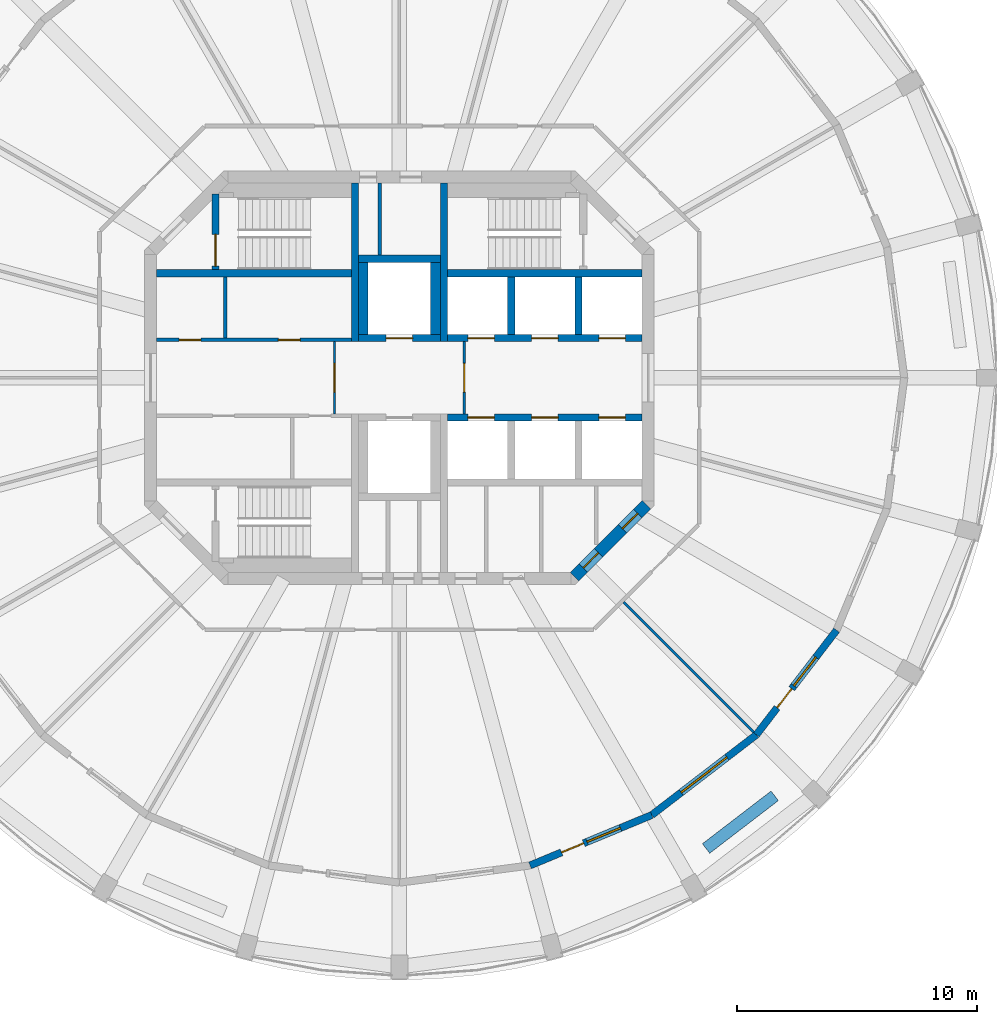
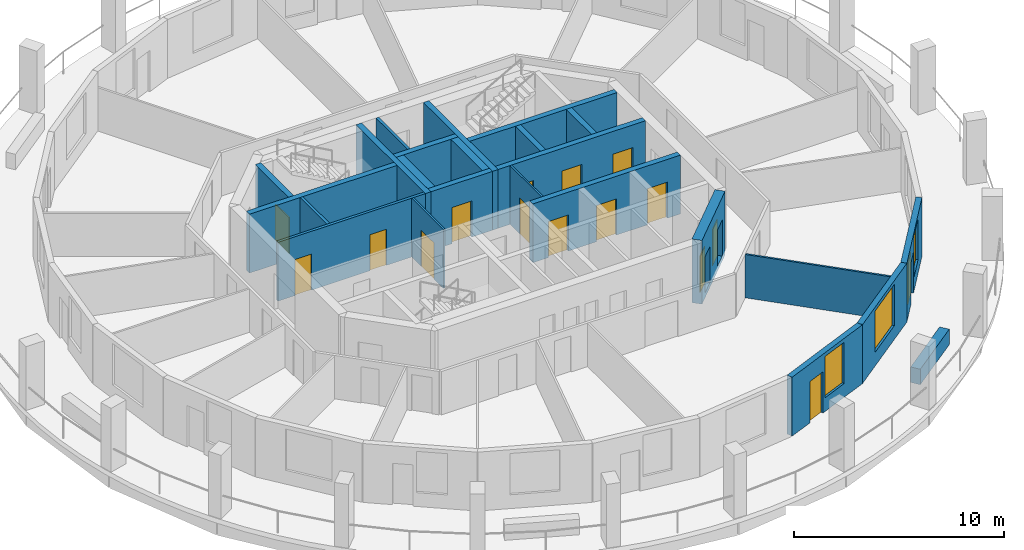
# One storey, part 4 of 9: 24 walls, 16 doors, 3 windows, 19 openings.
"""IFC4 building model written with IfcOpenShell, lengths in metres."""

from ifc_helpers import new_model, si_unit, direction, frame, frame_2d, origin, place, context, subcontext, project, spatial, rectangle, extrude, material, layer, layer_set, type_object, element, fill, save


model = new_model("IFC4")

# Units and contexts
model_context = context("Model", 3, precision=1e-05, world=origin(), true_north=direction((0.0, 1.0)))
body_context = subcontext(model_context, "Body", "Model", "MODEL_VIEW")
ifc_project = project(units=[si_unit("LENGTHUNIT", "METRE"), si_unit("AREAUNIT", "SQUARE_METRE"), si_unit("VOLUMEUNIT", "CUBIC_METRE"), si_unit("PLANEANGLEUNIT", "RADIAN"), si_unit("MASSUNIT", "GRAM", prefix="KILO")], contexts=[model_context])

# Site, building, storey
site_placement = place(None, origin())
site = spatial("IfcSite", under=ifc_project, at=site_placement, CompositionType="ELEMENT")
building_placement = place(site_placement, origin())
building = spatial("IfcBuilding", under=site, at=building_placement, Name="Torre Triforio", CompositionType="ELEMENT")
storey_placement = place(building_placement, frame((0.0, 0.0, 272.300048828125)))
storey = spatial("IfcBuildingStorey", under=building, at=storey_placement, Name="L63", CompositionType="ELEMENT", Elevation=272.300048828125)

# Walls
ifc_material_1 = material(Name="Concrete C40", Category="concrete")
ifc_layer_1 = layer(ifc_material_1, 0.300048828125)
ifc_layer_set_1 = layer_set([ifc_layer_1], Name="Concrete C40")
wall_type_1 = type_object("IfcWallType", Name="Core wall 300 mm C40 EI 120", PredefinedType="SHEAR", material=ifc_layer_set_1)
for number, where, z_axis, x_axis, name in (
    (1, (-1.85009765625, 1.5, 0.0), (0.0, 0.0, 1.0), (0.0, 1.0, 0.0), "Core wall"),
    (2, (1.85009765625, 1.5, 0.0), (0.0, 0.0, 1.0), (0.0, 1.0, 0.0), "Core wall"),
):
    element("IfcWall", number, at=place(storey_placement, frame(where, z_axis=z_axis, x_axis=x_axis)), inside=storey, type_object=wall_type_1, Name=name, PredefinedType="SHEAR", context=body_context, shape_type="SweptSolid", body=[
        extrude(rectangle(XDim=6.60009765625, YDim=0.300048828125, at=frame_2d((3.300048828125, 0.0))), origin(), (0.0, 0.0, 1.0), 3.419921875),
    ])

# Wall, openings, doors
ifc_layer_2 = layer(ifc_material_1, 0.5)
ifc_layer_set_2 = layer_set([ifc_layer_2], Name="Concrete C40")
wall_type_2 = type_object("IfcWallType", Name="Core wall 500 mm C40 EI 120", PredefinedType="SHEAR", material=ifc_layer_set_2)
wall_1_placement = place(storey_placement, frame((10.27685546875, -5.27685546875, -0.280029296875), z_axis=(0.0, 0.0, 1.0), x_axis=(-0.707106781187, -0.707106781187, 0.0)))
wall_1 = element("IfcWall", 3, at=wall_1_placement, inside=storey, type_object=wall_type_2, Name="Core wall", PredefinedType="SHEAR", context=body_context, shape_type="SweptSolid", body=[
    extrude(rectangle(XDim=4.24267578125, YDim=0.5, at=frame_2d((2.121337890625, 0.0))), origin(), (0.0, 0.0, 1.0), 3.699951171875),
])
opening_1_placement = place(wall_1_placement, frame((2.82275390625, 0.0, 0.280029296875)))
opening_1 = element("IfcOpeningElement", 4, at=opening_1_placement, cuts=wall_1, Name="Opening SE-03", PredefinedType="OPENING", context=body_context, shape_type="SweptSolid", body=[
    extrude(rectangle(XDim=0.89990234375, YDim=2.10009765625, at=frame_2d((0.449951171875, 1.050048828125))), frame((0.0, 0.260009765625, 0.0), z_axis=(0.0, -1.0, 0.0), x_axis=(1.0, 0.0, 0.0)), (0.0, 0.0, 1.0), 0.52001953125),
])
opening_2_placement = place(wall_1_placement, frame((0.52001953125, 0.0, 0.280029296875)))
opening_2 = element("IfcOpeningElement", 5, at=opening_2_placement, cuts=wall_1, Name="Opening SE-04", PredefinedType="OPENING", context=body_context, shape_type="SweptSolid", body=[
    extrude(rectangle(XDim=0.89990234375, YDim=2.10009765625, at=frame_2d((0.449951171875, 1.050048828125))), frame((0.0, 0.260009765625, 0.0), z_axis=(0.0, -1.0, 0.0), x_axis=(1.0, 0.0, 0.0)), (0.0, 0.0, 1.0), 0.52001953125),
])
ifc_material_2 = material(Name="Hollow metal fire door leaf")
door_type_1 = type_object("IfcDoorType", Name="Room door 900 x 2100 EI 60", OperationType="NOTDEFINED", PredefinedType="DOOR", material=ifc_material_2)
door_1_placement = place(opening_1_placement, origin())
door_1 = element("IfcDoor", 6, at=door_1_placement, inside=storey, type_object=door_type_1, Name="Core door SE-03", OperationType="SINGLE_SWING_RIGHT", OverallHeight=2.10009765625, OverallWidth=0.89990234375, PredefinedType="DOOR", context=body_context, shape_type="SweptSolid", body=[
    extrude(rectangle(XDim=0.89990234375, YDim=2.10009765625, at=frame_2d((0.449951171875, 1.050048828125))), frame((0.0, 0.02490234375, 0.0), z_axis=(0.0, -1.0, 0.0), x_axis=(1.0, 0.0, 0.0)), (0.0, 0.0, 1.0), 0.050048828125),
])
fill(opening_1, door_1)
door_2_placement = place(opening_2_placement, origin())
door_2 = element("IfcDoor", 7, at=door_2_placement, inside=storey, type_object=door_type_1, Name="Core door SE-04", OperationType="SINGLE_SWING_LEFT", OverallHeight=2.10009765625, OverallWidth=0.89990234375, PredefinedType="DOOR", context=body_context, shape_type="SweptSolid", body=[
    extrude(rectangle(XDim=0.89990234375, YDim=2.10009765625, at=frame_2d((0.449951171875, 1.050048828125))), frame((0.0, 0.02490234375, 0.0), z_axis=(0.0, -1.0, 0.0), x_axis=(1.0, 0.0, 0.0)), (0.0, 0.0, 1.0), 0.050048828125),
])
fill(opening_2, door_2)

# Wall, opening, door
ifc_material_3 = material(Name="Block and board partition")
ifc_layer_3 = layer(ifc_material_3, 0.10009765625)
ifc_layer_set_3 = layer_set([ifc_layer_3], Name="Block and board partition")
wall_type_3 = type_object("IfcWallType", Name="Partition 100 mm EI 120", PredefinedType="PARTITIONING", material=ifc_layer_set_3)
wall_2_placement = place(storey_placement, frame((-2.699951171875, -1.5, 0.0), z_axis=(0.0, 0.0, 1.0), x_axis=(0.0, 1.0, 0.0)))
wall_2 = element("IfcWall", 8, at=wall_2_placement, inside=storey, type_object=wall_type_3, Name="Partition", PredefinedType="PARTITIONING", context=body_context, shape_type="SweptSolid", body=[
    extrude(rectangle(XDim=3.0, YDim=0.10009765625, at=frame_2d((1.5, 0.0))), origin(), (0.0, 0.0, 1.0), 3.419921875),
])
opening_3_placement = place(wall_2_placement, frame((0.89990234375, 0.0, 0.0)))
opening_3 = element("IfcOpeningElement", 9, at=opening_3_placement, cuts=wall_2, Name="Opening FF-W", PredefinedType="OPENING", context=body_context, shape_type="SweptSolid", body=[
    extrude(rectangle(XDim=1.199951171875, YDim=2.10009765625, at=frame_2d((0.60009765625, 1.050048828125))), frame((0.0, 0.06005859375, 0.0), z_axis=(0.0, -1.0, 0.0), x_axis=(1.0, 0.0, 0.0)), (0.0, 0.0, 1.0), 0.1201171875),
])
door_type_2 = type_object("IfcDoorType", Name="Fire-fighting lobby door 1200 x 2100 EI 60", OperationType="NOTDEFINED", PredefinedType="DOOR", material=ifc_material_2)
door_3_placement = place(opening_3_placement, origin())
door_3 = element("IfcDoor", 10, at=door_3_placement, inside=storey, type_object=door_type_2, Name="Core door FF-W", OperationType="SINGLE_SWING_RIGHT", OverallHeight=2.10009765625, OverallWidth=1.199951171875, PredefinedType="DOOR", context=body_context, shape_type="SweptSolid", body=[
    extrude(rectangle(XDim=1.199951171875, YDim=2.10009765625, at=frame_2d((0.60009765625, 1.050048828125))), frame((0.0, 0.02490234375, 0.0), z_axis=(0.0, -1.0, 0.0), x_axis=(1.0, 0.0, 0.0)), (0.0, 0.0, 1.0), 0.050048828125),
])
fill(opening_3, door_3)

wall_3_placement = place(storey_placement, frame((2.699951171875, -1.5, 0.0), z_axis=(0.0, 0.0, 1.0), x_axis=(0.0, 1.0, 0.0)))
wall_3 = element("IfcWall", 11, at=wall_3_placement, inside=storey, type_object=wall_type_3, Name="Partition", PredefinedType="PARTITIONING", context=body_context, shape_type="SweptSolid", body=[
    extrude(rectangle(XDim=3.0, YDim=0.10009765625, at=frame_2d((1.5, 0.0))), origin(), (0.0, 0.0, 1.0), 3.419921875),
])
opening_4_placement = place(wall_3_placement, frame((0.89990234375, 0.0, 0.0)))
opening_4 = element("IfcOpeningElement", 12, at=opening_4_placement, cuts=wall_3, Name="Opening FF-E", PredefinedType="OPENING", context=body_context, shape_type="SweptSolid", body=[
    extrude(rectangle(XDim=1.199951171875, YDim=2.10009765625, at=frame_2d((0.60009765625, 1.050048828125))), frame((0.0, 0.06005859375, 0.0), z_axis=(0.0, -1.0, 0.0), x_axis=(1.0, 0.0, 0.0)), (0.0, 0.0, 1.0), 0.1201171875),
])
door_4_placement = place(opening_4_placement, origin())
door_4 = element("IfcDoor", 13, at=door_4_placement, inside=storey, type_object=door_type_2, Name="Core door FF-E", OperationType="SINGLE_SWING_RIGHT", OverallHeight=2.10009765625, OverallWidth=1.199951171875, PredefinedType="DOOR", context=body_context, shape_type="SweptSolid", body=[
    extrude(rectangle(XDim=1.199951171875, YDim=2.10009765625, at=frame_2d((0.60009765625, 1.050048828125))), frame((0.0, 0.02490234375, 0.0), z_axis=(0.0, -1.0, 0.0), x_axis=(1.0, 0.0, 0.0)), (0.0, 0.0, 1.0), 0.050048828125),
])
fill(opening_4, door_4)

# Walls
ifc_material_4 = material(Name="Plasterboard on metal studs")
ifc_layer_4 = layer(ifc_material_4, 0.10009765625)
ifc_layer_set_4 = layer_set([ifc_layer_4], Name="Plasterboard on metal studs")
wall_type_4 = type_object("IfcWallType", Name="Partition 100 mm board on metal studs", PredefinedType="PARTITIONING", material=ifc_layer_set_4)
wall_4_placement = place(storey_placement, frame((9.33251953125, -9.33251953125, 0.0), z_axis=(0.0, 0.0, 1.0), x_axis=(0.707106781187, -0.707106781187, 0.0)))
element("IfcWall", 14, at=wall_4_placement, inside=storey, type_object=wall_type_4, Name="Partition 24", PredefinedType="PARTITIONING", context=body_context, shape_type="SweptSolid", body=[
    extrude(rectangle(XDim=7.638671875, YDim=0.10009765625, at=frame_2d((3.8193359375, 0.0))), origin(), (0.0, 0.0, 1.0), 2.52001953125),
])
ifc_layer_5 = layer(ifc_material_3, 0.14990234375)
ifc_layer_set_5 = layer_set([ifc_layer_5], Name="Block and board partition")
wall_type_5 = type_object("IfcWallType", Name="Partition 150 mm", PredefinedType="PARTITIONING", material=ifc_layer_set_5)
wall_5_placement = place(storey_placement, frame((-7.242431640625, 1.64990234375, 0.0), z_axis=(0.0, 0.0, 1.0), x_axis=(0.0, 1.0, 0.0)))
element("IfcWall", 15, at=wall_5_placement, inside=storey, type_object=wall_type_5, Name="Partition", PredefinedType="PARTITIONING", context=body_context, shape_type="SweptSolid", body=[
    extrude(rectangle(XDim=2.550048828125, YDim=0.14990234375, at=frame_2d((1.27490234375, 0.0))), origin(), (0.0, 0.0, 1.0), 3.419921875),
])
ifc_layer_6 = layer(ifc_material_3, 0.14990234375)
ifc_layer_set_6 = layer_set([ifc_layer_6], Name="Block and board partition")
wall_type_6 = type_object("IfcWallType", Name="Partition 150 mm EI 120", PredefinedType="PARTITIONING", material=ifc_layer_set_6)
wall_6_placement = place(storey_placement, frame((-0.824951171875, 5.10009765625, 0.0), z_axis=(0.0, 0.0, 1.0), x_axis=(0.0, 1.0, 0.0)))
element("IfcWall", 16, at=wall_6_placement, inside=storey, type_object=wall_type_6, Name="Partition", PredefinedType="PARTITIONING", context=body_context, shape_type="SweptSolid", body=[
    extrude(rectangle(XDim=3.0, YDim=0.14990234375, at=frame_2d((1.5, 0.0))), origin(), (0.0, 0.0, 1.0), 3.419921875),
])

# Wall, openings, doors
wall_7_placement = place(storey_placement, frame((-10.10009765625, 1.574951171875, 0.0), z_axis=(0.0, 0.0, 1.0), x_axis=(1.0, 0.0, 0.0)))
wall_7 = element("IfcWall", 17, at=wall_7_placement, inside=storey, type_object=wall_type_6, Name="Partition", PredefinedType="PARTITIONING", context=body_context, shape_type="SweptSolid", body=[
    extrude(rectangle(XDim=8.10009765625, YDim=0.14990234375, at=frame_2d((4.050048828125, 0.0))), origin(), (0.0, 0.0, 1.0), 3.419921875),
])
opening_5_placement = place(wall_7_placement, frame((0.941162109375, 0.0, 0.0)))
opening_5 = element("IfcOpeningElement", 18, at=opening_5_placement, cuts=wall_7, Name="Opening FN-01A", PredefinedType="OPENING", context=body_context, shape_type="SweptSolid", body=[
    extrude(rectangle(XDim=0.89990234375, YDim=2.10009765625, at=frame_2d((0.449951171875, 1.050048828125))), frame((0.0, 0.0849609375, 0.0), z_axis=(0.0, -1.0, 0.0), x_axis=(1.0, 0.0, 0.0)), (0.0, 0.0, 1.0), 0.169921875),
])
opening_6_placement = place(wall_7_placement, frame((5.066162109375, 0.0, 0.0)))
opening_6 = element("IfcOpeningElement", 19, at=opening_6_placement, cuts=wall_7, Name="Opening FN-02", PredefinedType="OPENING", context=body_context, shape_type="SweptSolid", body=[
    extrude(rectangle(XDim=0.89990234375, YDim=2.10009765625, at=frame_2d((0.449951171875, 1.050048828125))), frame((0.0, 0.0849609375, 0.0), z_axis=(0.0, -1.0, 0.0), x_axis=(1.0, 0.0, 0.0)), (0.0, 0.0, 1.0), 0.169921875),
])
door_type_3 = type_object("IfcDoorType", Name="Plant room door 900 x 2100 EI 60", OperationType="NOTDEFINED", PredefinedType="DOOR", material=ifc_material_2)
door_5_placement = place(opening_5_placement, origin())
door_5 = element("IfcDoor", 20, at=door_5_placement, inside=storey, type_object=door_type_3, Name="Core door FN-01", OperationType="SINGLE_SWING_RIGHT", OverallHeight=2.10009765625, OverallWidth=0.89990234375, PredefinedType="DOOR", context=body_context, shape_type="SweptSolid", body=[
    extrude(rectangle(XDim=0.89990234375, YDim=2.10009765625, at=frame_2d((0.449951171875, 1.050048828125))), frame((0.0, 0.02490234375, 0.0), z_axis=(0.0, -1.0, 0.0), x_axis=(1.0, 0.0, 0.0)), (0.0, 0.0, 1.0), 0.050048828125),
])
fill(opening_5, door_5)
door_6_placement = place(opening_6_placement, origin())
door_6 = element("IfcDoor", 21, at=door_6_placement, inside=storey, type_object=door_type_1, Name="Core door FN-02", OperationType="SINGLE_SWING_RIGHT", OverallHeight=2.10009765625, OverallWidth=0.89990234375, PredefinedType="DOOR", context=body_context, shape_type="SweptSolid", body=[
    extrude(rectangle(XDim=0.89990234375, YDim=2.10009765625, at=frame_2d((0.449951171875, 1.050048828125))), frame((0.0, 0.02490234375, 0.0), z_axis=(0.0, -1.0, 0.0), x_axis=(1.0, 0.0, 0.0)), (0.0, 0.0, 1.0), 0.050048828125),
])
fill(opening_6, door_6)

# Walls
ifc_material_5 = material(Name="Limestone cladding", Category="masonry")
ifc_layer_7 = layer(ifc_material_5, 0.10009765625)
ifc_layer_8 = layer(ifc_material_1, 0.39990234375)
ifc_layer_set_7 = layer_set([ifc_layer_7, ifc_layer_8], Name="Limestone cladding / Concrete C40")
wall_type_7 = type_object("IfcWallType", Name="Planter wall 500", PredefinedType="PARAPET", material=ifc_layer_set_7)
wall_8_placement = place(storey_placement, frame((12.756103515625, -19.580810546875, 0.0), z_axis=(0.0, 0.0, 1.0), x_axis=(0.793384730612, 0.608720518162, 0.0)))
element("IfcWall", 22, at=wall_8_placement, inside=storey, type_object=wall_type_7, Name="Planter L63 bay 21", PredefinedType="PARAPET", context=body_context, shape_type="SweptSolid", body=[
    extrude(rectangle(XDim=3.60009765625, YDim=0.5, at=frame_2d((1.800048828125, 0.0))), origin(), (0.0, 0.0, 1.0), 0.89990234375),
])
ifc_layer_9 = layer(ifc_material_1, 0.300048828125)
ifc_layer_set_8 = layer_set([ifc_layer_9], Name="Concrete C40")
wall_type_8 = type_object("IfcWallType", Name="Shaft wall 300 mm C40 EI 120", PredefinedType="SOLIDWALL", material=ifc_layer_set_8)
for number, where, z_axis, x_axis, name in (
    (23, (-10.10009765625, 4.35009765625, 0.0), (0.0, 0.0, 1.0), (1.0, 0.0, 0.0), "Shaft wall"),
    (24, (2.0, 4.35009765625, 0.0), (0.0, 0.0, 1.0), (1.0, 0.0, 0.0), "Shaft wall"),
):
    element("IfcWall", number, at=place(storey_placement, frame(where, z_axis=z_axis, x_axis=x_axis)), inside=storey, type_object=wall_type_8, Name=name, PredefinedType="SOLIDWALL", context=body_context, shape_type="SweptSolid", body=[
        extrude(rectangle(XDim=8.10009765625, YDim=0.300048828125, at=frame_2d((4.050048828125, 0.0))), origin(), (0.0, 0.0, 1.0), 3.419921875),
    ])

# Wall, openings, doors
wall_9_placement = place(storey_placement, frame((2.0, 1.64990234375, 0.0), z_axis=(0.0, 0.0, 1.0), x_axis=(1.0, 0.0, 0.0)))
wall_9 = element("IfcWall", 25, at=wall_9_placement, inside=storey, type_object=wall_type_8, Name="Shaft wall", PredefinedType="SOLIDWALL", context=body_context, shape_type="SweptSolid", body=[
    extrude(rectangle(XDim=8.10009765625, YDim=0.300048828125, at=frame_2d((4.050048828125, 0.0))), origin(), (0.0, 0.0, 1.0), 3.419921875),
])
opening_7_placement = place(wall_9_placement, frame((0.85009765625, 0.0, 0.0)))
opening_7 = element("IfcOpeningElement", 26, at=opening_7_placement, cuts=wall_9, Name="Opening LD", PredefinedType="OPENING", context=body_context, shape_type="SweptSolid", body=[
    extrude(rectangle(XDim=1.10009765625, YDim=2.10009765625, at=frame_2d((0.550048828125, 1.050048828125))), frame((0.0, 0.159912109375, 0.0), z_axis=(0.0, -1.0, 0.0), x_axis=(1.0, 0.0, 0.0)), (0.0, 0.0, 1.0), 0.320068359375),
])
opening_8_placement = place(wall_9_placement, frame((3.5, 0.0, 0.0)))
opening_8 = element("IfcOpeningElement", 27, at=opening_8_placement, cuts=wall_9, Name="Opening LD", PredefinedType="OPENING", context=body_context, shape_type="SweptSolid", body=[
    extrude(rectangle(XDim=1.10009765625, YDim=2.10009765625, at=frame_2d((0.550048828125, 1.050048828125))), frame((0.0, 0.159912109375, 0.0), z_axis=(0.0, -1.0, 0.0), x_axis=(1.0, 0.0, 0.0)), (0.0, 0.0, 1.0), 0.320068359375),
])
opening_9_placement = place(wall_9_placement, frame((6.300048828125, 0.0, 0.0)))
opening_9 = element("IfcOpeningElement", 28, at=opening_9_placement, cuts=wall_9, Name="Opening LD", PredefinedType="OPENING", context=body_context, shape_type="SweptSolid", body=[
    extrude(rectangle(XDim=1.10009765625, YDim=2.10009765625, at=frame_2d((0.550048828125, 1.050048828125))), frame((0.0, 0.159912109375, 0.0), z_axis=(0.0, -1.0, 0.0), x_axis=(1.0, 0.0, 0.0)), (0.0, 0.0, 1.0), 0.320068359375),
])
door_type_4 = type_object("IfcDoorType", Name="Landing door 1100 x 2100 EI 60", OperationType="DOUBLE_DOOR_SLIDING", PredefinedType="DOOR", material=ifc_material_2)
door_7_placement = place(opening_7_placement, origin())
door_7 = element("IfcDoor", 29, at=door_7_placement, inside=storey, type_object=door_type_4, Name="Landing door HR1", OperationType="DOUBLE_DOOR_SLIDING", OverallHeight=2.10009765625, OverallWidth=1.10009765625, PredefinedType="DOOR", context=body_context, shape_type="SweptSolid", body=[
    extrude(rectangle(XDim=1.10009765625, YDim=2.10009765625, at=frame_2d((0.550048828125, 1.050048828125))), frame((0.0, 0.02490234375, 0.0), z_axis=(0.0, -1.0, 0.0), x_axis=(1.0, 0.0, 0.0)), (0.0, 0.0, 1.0), 0.050048828125),
])
fill(opening_7, door_7)
door_8_placement = place(opening_8_placement, origin())
door_8 = element("IfcDoor", 30, at=door_8_placement, inside=storey, type_object=door_type_4, Name="Landing door HR2", OperationType="DOUBLE_DOOR_SLIDING", OverallHeight=2.10009765625, OverallWidth=1.10009765625, PredefinedType="DOOR", context=body_context, shape_type="SweptSolid", body=[
    extrude(rectangle(XDim=1.10009765625, YDim=2.10009765625, at=frame_2d((0.550048828125, 1.050048828125))), frame((0.0, 0.02490234375, 0.0), z_axis=(0.0, -1.0, 0.0), x_axis=(1.0, 0.0, 0.0)), (0.0, 0.0, 1.0), 0.050048828125),
])
fill(opening_8, door_8)
door_9_placement = place(opening_9_placement, origin())
door_9 = element("IfcDoor", 31, at=door_9_placement, inside=storey, type_object=door_type_4, Name="Landing door HR3", OperationType="DOUBLE_DOOR_SLIDING", OverallHeight=2.10009765625, OverallWidth=1.10009765625, PredefinedType="DOOR", context=body_context, shape_type="SweptSolid", body=[
    extrude(rectangle(XDim=1.10009765625, YDim=2.10009765625, at=frame_2d((0.550048828125, 1.050048828125))), frame((0.0, 0.02490234375, 0.0), z_axis=(0.0, -1.0, 0.0), x_axis=(1.0, 0.0, 0.0)), (0.0, 0.0, 1.0), 0.050048828125),
])
fill(opening_9, door_9)

wall_10_placement = place(storey_placement, frame((2.0, -1.64990234375, 0.0), z_axis=(0.0, 0.0, 1.0), x_axis=(1.0, 0.0, 0.0)))
wall_10 = element("IfcWall", 32, at=wall_10_placement, inside=storey, type_object=wall_type_8, Name="Shaft wall", PredefinedType="SOLIDWALL", context=body_context, shape_type="SweptSolid", body=[
    extrude(rectangle(XDim=8.10009765625, YDim=0.300048828125, at=frame_2d((4.050048828125, 0.0))), origin(), (0.0, 0.0, 1.0), 3.419921875),
])
opening_10_placement = place(wall_10_placement, frame((0.85009765625, 0.0, 0.0)))
opening_10 = element("IfcOpeningElement", 33, at=opening_10_placement, cuts=wall_10, Name="Opening LD", PredefinedType="OPENING", context=body_context, shape_type="SweptSolid", body=[
    extrude(rectangle(XDim=1.10009765625, YDim=2.10009765625, at=frame_2d((0.550048828125, 1.050048828125))), frame((0.0, 0.159912109375, 0.0), z_axis=(0.0, -1.0, 0.0), x_axis=(1.0, 0.0, 0.0)), (0.0, 0.0, 1.0), 0.320068359375),
])
opening_11_placement = place(wall_10_placement, frame((3.5, 0.0, 0.0)))
opening_11 = element("IfcOpeningElement", 34, at=opening_11_placement, cuts=wall_10, Name="Opening LD", PredefinedType="OPENING", context=body_context, shape_type="SweptSolid", body=[
    extrude(rectangle(XDim=1.10009765625, YDim=2.10009765625, at=frame_2d((0.550048828125, 1.050048828125))), frame((0.0, 0.159912109375, 0.0), z_axis=(0.0, -1.0, 0.0), x_axis=(1.0, 0.0, 0.0)), (0.0, 0.0, 1.0), 0.320068359375),
])
opening_12_placement = place(wall_10_placement, frame((6.300048828125, 0.0, 0.0)))
opening_12 = element("IfcOpeningElement", 35, at=opening_12_placement, cuts=wall_10, Name="Opening LD", PredefinedType="OPENING", context=body_context, shape_type="SweptSolid", body=[
    extrude(rectangle(XDim=1.10009765625, YDim=2.10009765625, at=frame_2d((0.550048828125, 1.050048828125))), frame((0.0, 0.159912109375, 0.0), z_axis=(0.0, -1.0, 0.0), x_axis=(1.0, 0.0, 0.0)), (0.0, 0.0, 1.0), 0.320068359375),
])
door_10_placement = place(opening_10_placement, origin())
door_10 = element("IfcDoor", 36, at=door_10_placement, inside=storey, type_object=door_type_4, Name="Landing door HR4", OperationType="DOUBLE_DOOR_SLIDING", OverallHeight=2.10009765625, OverallWidth=1.10009765625, PredefinedType="DOOR", context=body_context, shape_type="SweptSolid", body=[
    extrude(rectangle(XDim=1.10009765625, YDim=2.10009765625, at=frame_2d((0.550048828125, 1.050048828125))), frame((0.0, 0.02490234375, 0.0), z_axis=(0.0, -1.0, 0.0), x_axis=(1.0, 0.0, 0.0)), (0.0, 0.0, 1.0), 0.050048828125),
])
fill(opening_10, door_10)
door_11_placement = place(opening_11_placement, origin())
door_11 = element("IfcDoor", 37, at=door_11_placement, inside=storey, type_object=door_type_4, Name="Landing door HR5", OperationType="DOUBLE_DOOR_SLIDING", OverallHeight=2.10009765625, OverallWidth=1.10009765625, PredefinedType="DOOR", context=body_context, shape_type="SweptSolid", body=[
    extrude(rectangle(XDim=1.10009765625, YDim=2.10009765625, at=frame_2d((0.550048828125, 1.050048828125))), frame((0.0, 0.02490234375, 0.0), z_axis=(0.0, -1.0, 0.0), x_axis=(1.0, 0.0, 0.0)), (0.0, 0.0, 1.0), 0.050048828125),
])
fill(opening_11, door_11)
door_12_placement = place(opening_12_placement, origin())
door_12 = element("IfcDoor", 38, at=door_12_placement, inside=storey, type_object=door_type_4, Name="Landing door HR6", OperationType="DOUBLE_DOOR_SLIDING", OverallHeight=2.10009765625, OverallWidth=1.10009765625, PredefinedType="DOOR", context=body_context, shape_type="SweptSolid", body=[
    extrude(rectangle(XDim=1.10009765625, YDim=2.10009765625, at=frame_2d((0.550048828125, 1.050048828125))), frame((0.0, 0.02490234375, 0.0), z_axis=(0.0, -1.0, 0.0), x_axis=(1.0, 0.0, 0.0)), (0.0, 0.0, 1.0), 0.050048828125),
])
fill(opening_12, door_12)

# Walls
for number, where, z_axis, x_axis, name in (
    (39, (4.64990234375, 1.800048828125, 0.0), (0.0, 0.0, 1.0), (0.0, 1.0, 0.0), "Shaft wall"),
    (40, (7.449951171875, 1.800048828125, 0.0), (0.0, 0.0, 1.0), (0.0, 1.0, 0.0), "Shaft wall"),
):
    element("IfcWall", number, at=place(storey_placement, frame(where, z_axis=z_axis, x_axis=x_axis)), inside=storey, type_object=wall_type_8, Name=name, PredefinedType="SOLIDWALL", context=body_context, shape_type="SweptSolid", body=[
        extrude(rectangle(XDim=2.39990234375, YDim=0.300048828125, at=frame_2d((1.199951171875, 0.0))), origin(), (0.0, 0.0, 1.0), 3.419921875),
    ])

# Wall, opening, door
wall_11_placement = place(storey_placement, frame((-1.699951171875, 1.64990234375, 0.0), z_axis=(0.0, 0.0, 1.0), x_axis=(1.0, 0.0, 0.0)))
wall_11 = element("IfcWall", 41, at=wall_11_placement, inside=storey, type_object=wall_type_8, Name="Shaft wall", PredefinedType="SOLIDWALL", context=body_context, shape_type="SweptSolid", body=[
    extrude(rectangle(XDim=3.39990234375, YDim=0.300048828125, at=frame_2d((1.699951171875, 0.0))), origin(), (0.0, 0.0, 1.0), 3.419921875),
])
opening_13_placement = place(wall_11_placement, frame((1.14990234375, 0.0, 0.0)))
opening_13 = element("IfcOpeningElement", 42, at=opening_13_placement, cuts=wall_11, Name="Opening LD", PredefinedType="OPENING", context=body_context, shape_type="SweptSolid", body=[
    extrude(rectangle(XDim=1.10009765625, YDim=2.10009765625, at=frame_2d((0.550048828125, 1.050048828125))), frame((0.0, 0.159912109375, 0.0), z_axis=(0.0, -1.0, 0.0), x_axis=(1.0, 0.0, 0.0)), (0.0, 0.0, 1.0), 0.320068359375),
])
door_13_placement = place(opening_13_placement, origin())
door_13 = element("IfcDoor", 43, at=door_13_placement, inside=storey, type_object=door_type_4, Name="Landing door FFL1", OperationType="DOUBLE_DOOR_SLIDING", OverallHeight=2.10009765625, OverallWidth=1.10009765625, PredefinedType="DOOR", context=body_context, shape_type="SweptSolid", body=[
    extrude(rectangle(XDim=1.10009765625, YDim=2.10009765625, at=frame_2d((0.550048828125, 1.050048828125))), frame((0.0, 0.02490234375, 0.0), z_axis=(0.0, -1.0, 0.0), x_axis=(1.0, 0.0, 0.0)), (0.0, 0.0, 1.0), 0.050048828125),
])
fill(opening_13, door_13)

# Walls
wall_12_placement = place(storey_placement, frame((-1.699951171875, 4.949951171875, 0.0), z_axis=(0.0, 0.0, 1.0), x_axis=(1.0, 0.0, 0.0)))
element("IfcWall", 44, at=wall_12_placement, inside=storey, type_object=wall_type_8, Name="Shaft wall", PredefinedType="SOLIDWALL", context=body_context, shape_type="SweptSolid", body=[
    extrude(rectangle(XDim=3.39990234375, YDim=0.300048828125, at=frame_2d((1.699951171875, 0.0))), origin(), (0.0, 0.0, 1.0), 3.419921875),
])
ifc_layer_10 = layer(ifc_material_1, 0.39990234375)
ifc_layer_set_9 = layer_set([ifc_layer_10], Name="Concrete C40")
wall_type_9 = type_object("IfcWallType", Name="Shaft wall 400 mm C40 EI 120", PredefinedType="SOLIDWALL", material=ifc_layer_set_9)
for number, where, z_axis, x_axis, name in (
    (45, (-1.5, 1.800048828125, 0.0), (0.0, 0.0, 1.0), (0.0, 1.0, 0.0), "Shaft wall"),
    (46, (1.5, 1.800048828125, 0.0), (0.0, 0.0, 1.0), (0.0, 1.0, 0.0), "Shaft wall"),
):
    element("IfcWall", number, at=place(storey_placement, frame(where, z_axis=z_axis, x_axis=x_axis)), inside=storey, type_object=wall_type_9, Name=name, PredefinedType="SOLIDWALL", context=body_context, shape_type="SweptSolid", body=[
        extrude(rectangle(XDim=3.0, YDim=0.39990234375, at=frame_2d((1.5, 0.0))), origin(), (0.0, 0.0, 1.0), 3.419921875),
    ])

# Wall, opening, door
ifc_layer_11 = layer(ifc_material_1, 0.300048828125)
ifc_layer_set_10 = layer_set([ifc_layer_11], Name="Concrete C40")
wall_type_10 = type_object("IfcWallType", Name="Stair wall 300 mm C40 EI 120", PredefinedType="SHEAR", material=ifc_layer_set_10)
wall_13_placement = place(storey_placement, frame((-7.64990234375, 4.5, 0.0), z_axis=(0.0, 0.0, 1.0), x_axis=(0.0, 1.0, 0.0)))
wall_13 = element("IfcWall", 47, at=wall_13_placement, inside=storey, type_object=wall_type_10, Name="Stair wall", PredefinedType="SHEAR", context=body_context, shape_type="SweptSolid", body=[
    extrude(rectangle(XDim=3.139892578125, YDim=0.300048828125, at=frame_2d((1.56982421875, 0.0))), origin(), (0.0, 0.0, 1.0), 3.419921875),
])
opening_14_placement = place(wall_13_placement, frame((0.139892578125, 0.0, 0.0)))
opening_14 = element("IfcOpeningElement", 48, at=opening_14_placement, cuts=wall_13, Name="Opening ST1-STA", PredefinedType="OPENING", context=body_context, shape_type="SweptSolid", body=[
    extrude(rectangle(XDim=1.320068359375, YDim=2.10009765625, at=frame_2d((0.66015625, 1.050048828125))), frame((0.0, 0.159912109375, 0.0), z_axis=(0.0, -1.0, 0.0), x_axis=(1.0, 0.0, 0.0)), (0.0, 0.0, 1.0), 0.320068359375),
])
door_type_5 = type_object("IfcDoorType", Name="Stair door 1320 x 2100 EI 90", OperationType="DOUBLE_DOOR_SINGLE_SWING", PredefinedType="DOOR", material=ifc_material_2)
door_14_placement = place(opening_14_placement, origin())
door_14 = element("IfcDoor", 49, at=door_14_placement, inside=storey, type_object=door_type_5, Name="Core door ST1-ST", OperationType="DOUBLE_DOOR_SINGLE_SWING", OverallHeight=2.10009765625, OverallWidth=1.320068359375, PredefinedType="DOOR", context=body_context, shape_type="SweptSolid", body=[
    extrude(rectangle(XDim=1.320068359375, YDim=2.10009765625, at=frame_2d((0.66015625, 1.050048828125))), frame((0.0, 0.02490234375, 0.0), z_axis=(0.0, -1.0, 0.0), x_axis=(1.0, 0.0, 0.0)), (0.0, 0.0, 1.0), 0.050048828125),
])
fill(opening_14, door_14)

# Wall, openings, door, window
ifc_layer_12 = layer(ifc_material_5, 0.10009765625)
ifc_layer_13 = layer(ifc_material_1, 0.199951171875)
ifc_layer_set_11 = layer_set([ifc_layer_12, ifc_layer_13], Name="Limestone cladding / Concrete C40")
wall_type_11 = type_object("IfcWallType", Name="Stone-faced composite wall 300", PredefinedType="STANDARD", material=ifc_layer_set_11)
wall_14_placement = place(storey_placement, frame((5.435302734375, -20.284423828125, 0.0), z_axis=(0.0, 0.0, 1.0), x_axis=(0.923877333662, 0.382688740813, 0.0)))
wall_14 = element("IfcWall", 50, at=wall_14_placement, inside=storey, type_object=wall_type_11, Name="External wall L63 bay 20", PredefinedType="STANDARD", context=body_context, shape_type="SweptSolid", body=[
    extrude(rectangle(XDim=5.48193359375, YDim=0.300048828125, at=frame_2d((2.740966796875, 0.0))), origin(), (0.0, 0.0, 1.0), 3.419921875),
])
opening_15_placement = place(wall_14_placement, frame((1.416015625, 0.0, 0.0)))
opening_15 = element("IfcOpeningElement", 51, at=opening_15_placement, cuts=wall_14, Name="Opening E2-D20", PredefinedType="OPENING", context=body_context, shape_type="SweptSolid", body=[
    extrude(rectangle(XDim=1.0, YDim=2.39990234375, at=frame_2d((0.5, 1.199951171875))), frame((0.0, 0.159912109375, 0.0), z_axis=(0.0, -1.0, 0.0), x_axis=(1.0, 0.0, 0.0)), (0.0, 0.0, 1.0), 0.320068359375),
])
opening_16_placement = place(wall_14_placement, frame((2.566162109375, 0.0, 0.800048828125)))
opening_16 = element("IfcOpeningElement", 52, at=opening_16_placement, cuts=wall_14, Name="Opening E2-W20A", PredefinedType="OPENING", context=body_context, shape_type="SweptSolid", body=[
    extrude(rectangle(XDim=1.5, YDim=2.39990234375, at=frame_2d((0.75, 1.199951171875))), frame((0.0, 0.159912109375, 0.0), z_axis=(0.0, -1.0, 0.0), x_axis=(1.0, 0.0, 0.0)), (0.0, 0.0, 1.0), 0.320068359375),
])
ifc_material_6 = material(Name="Aluminium frame with clear double glazing", Category="aluminium")
door_type_6 = type_object("IfcDoorType", Name="Loggia door 1000 x 2400", OperationType="NOTDEFINED", PredefinedType="DOOR", material=ifc_material_6)
door_15_placement = place(opening_15_placement, origin())
door_15 = element("IfcDoor", 53, at=door_15_placement, inside=storey, type_object=door_type_6, Name="Loggia door L63 bay 20", OperationType="SINGLE_SWING_LEFT", OverallHeight=2.39990234375, OverallWidth=1.0, PredefinedType="DOOR", context=body_context, shape_type="SweptSolid", body=[
    extrude(rectangle(XDim=1.0, YDim=2.39990234375, at=frame_2d((0.5, 1.199951171875))), frame((0.0, 0.02490234375, 0.0), z_axis=(0.0, -1.0, 0.0), x_axis=(1.0, 0.0, 0.0)), (0.0, 0.0, 1.0), 0.050048828125),
])
fill(opening_15, door_15)
window_type_1 = type_object("IfcWindowType", Name="Side window 1500 x 2400", PartitioningType="SINGLE_PANEL", PredefinedType="WINDOW", material=ifc_material_6)
window_1_placement = place(opening_16_placement, origin())
window_1 = element("IfcWindow", 54, at=window_1_placement, inside=storey, type_object=window_type_1, Name="Side window EWN14 L63 bay 20", OverallHeight=2.39990234375, OverallWidth=1.5, PartitioningType="SINGLE_PANEL", PredefinedType="WINDOW", context=body_context, shape_type="SweptSolid", body=[
    extrude(rectangle(XDim=1.5, YDim=2.39990234375, at=frame_2d((0.75, 1.199951171875))), frame((0.0, 0.030029296875, 0.0), z_axis=(0.0, -1.0, 0.0), x_axis=(1.0, 0.0, 0.0)), (0.0, 0.0, 1.0), 0.06005859375),
])
fill(opening_16, window_1)

# Wall, opening, window
wall_15_placement = place(storey_placement, frame((10.5, -18.1865234375, 0.0), z_axis=(0.0, 0.0, 1.0), x_axis=(0.793335336593, 0.608784891166, 0.0)))
wall_15 = element("IfcWall", 55, at=wall_15_placement, inside=storey, type_object=wall_type_11, Name="External wall L63 bay 21", PredefinedType="STANDARD", context=body_context, shape_type="SweptSolid", body=[
    extrude(rectangle(XDim=5.482177734375, YDim=0.300048828125, at=frame_2d((2.7412109375, 0.0))), origin(), (0.0, 0.0, 1.0), 3.419921875),
])
opening_17_placement = place(wall_15_placement, frame((1.541015625, 0.0, 0.800048828125)))
opening_17 = element("IfcOpeningElement", 56, at=opening_17_placement, cuts=wall_15, Name="Opening E2-W21", PredefinedType="OPENING", context=body_context, shape_type="SweptSolid", body=[
    extrude(rectangle(XDim=2.39990234375, YDim=2.39990234375, at=frame_2d((1.199951171875, 1.199951171875))), frame((0.0, 0.159912109375, 0.0), z_axis=(0.0, -1.0, 0.0), x_axis=(1.0, 0.0, 0.0)), (0.0, 0.0, 1.0), 0.320068359375),
])
window_type_2 = type_object("IfcWindowType", Name="Punched window 2400 x 2400", PartitioningType="DOUBLE_PANEL_VERTICAL", PredefinedType="WINDOW", material=ifc_material_6)
window_2_placement = place(opening_17_placement, origin())
window_2 = element("IfcWindow", 57, at=window_2_placement, inside=storey, type_object=window_type_2, Name="Window EWN4 L63 bay 21", OverallHeight=2.39990234375, OverallWidth=2.39990234375, PartitioningType="SINGLE_PANEL", PredefinedType="WINDOW", context=body_context, shape_type="SweptSolid", body=[
    extrude(rectangle(XDim=2.39990234375, YDim=2.39990234375, at=frame_2d((1.199951171875, 1.199951171875))), frame((0.0, 0.030029296875, 0.0), z_axis=(0.0, -1.0, 0.0), x_axis=(1.0, 0.0, 0.0)), (0.0, 0.0, 1.0), 0.06005859375),
])
fill(opening_17, window_2)

# Wall, openings, door, window
wall_16_placement = place(storey_placement, frame((14.84912109375, -14.84912109375, 0.0), z_axis=(0.0, 0.0, 1.0), x_axis=(0.608784891166, 0.793335336593, 0.0)))
wall_16 = element("IfcWall", 58, at=wall_16_placement, inside=storey, type_object=wall_type_11, Name="External wall L63 bay 22", PredefinedType="STANDARD", context=body_context, shape_type="SweptSolid", body=[
    extrude(rectangle(XDim=5.482177734375, YDim=0.300048828125, at=frame_2d((2.7412109375, 0.0))), origin(), (0.0, 0.0, 1.0), 3.419921875),
])
opening_18_placement = place(wall_16_placement, frame((1.416015625, 0.0, 0.0)))
opening_18 = element("IfcOpeningElement", 59, at=opening_18_placement, cuts=wall_16, Name="Opening E2-D22", PredefinedType="OPENING", context=body_context, shape_type="SweptSolid", body=[
    extrude(rectangle(XDim=1.0, YDim=2.39990234375, at=frame_2d((0.5, 1.199951171875))), frame((0.0, 0.159912109375, 0.0), z_axis=(0.0, -1.0, 0.0), x_axis=(1.0, 0.0, 0.0)), (0.0, 0.0, 1.0), 0.320068359375),
])
opening_19_placement = place(wall_16_placement, frame((2.56591796875, 0.0, 0.800048828125)))
opening_19 = element("IfcOpeningElement", 60, at=opening_19_placement, cuts=wall_16, Name="Opening E2-W22A", PredefinedType="OPENING", context=body_context, shape_type="SweptSolid", body=[
    extrude(rectangle(XDim=1.5, YDim=2.39990234375, at=frame_2d((0.75, 1.199951171875))), frame((0.0, 0.159912109375, 0.0), z_axis=(0.0, -1.0, 0.0), x_axis=(1.0, 0.0, 0.0)), (0.0, 0.0, 1.0), 0.320068359375),
])
door_16_placement = place(opening_18_placement, origin())
door_16 = element("IfcDoor", 61, at=door_16_placement, inside=storey, type_object=door_type_6, Name="Loggia door L63 bay 22", OperationType="SINGLE_SWING_LEFT", OverallHeight=2.39990234375, OverallWidth=1.0, PredefinedType="DOOR", context=body_context, shape_type="SweptSolid", body=[
    extrude(rectangle(XDim=1.0, YDim=2.39990234375, at=frame_2d((0.5, 1.199951171875))), frame((0.0, 0.02490234375, 0.0), z_axis=(0.0, -1.0, 0.0), x_axis=(1.0, 0.0, 0.0)), (0.0, 0.0, 1.0), 0.050048828125),
])
fill(opening_18, door_16)
window_3_placement = place(opening_19_placement, origin())
window_3 = element("IfcWindow", 62, at=window_3_placement, inside=storey, type_object=window_type_1, Name="Side window EWN14 L63 bay 22", OverallHeight=2.39990234375, OverallWidth=1.5, PartitioningType="SINGLE_PANEL", PredefinedType="WINDOW", context=body_context, shape_type="SweptSolid", body=[
    extrude(rectangle(XDim=1.5, YDim=2.39990234375, at=frame_2d((0.75, 1.199951171875))), frame((0.0, 0.030029296875, 0.0), z_axis=(0.0, -1.0, 0.0), x_axis=(1.0, 0.0, 0.0)), (0.0, 0.0, 1.0), 0.06005859375),
])
fill(opening_19, window_3)

save(model, "model.ifc")
